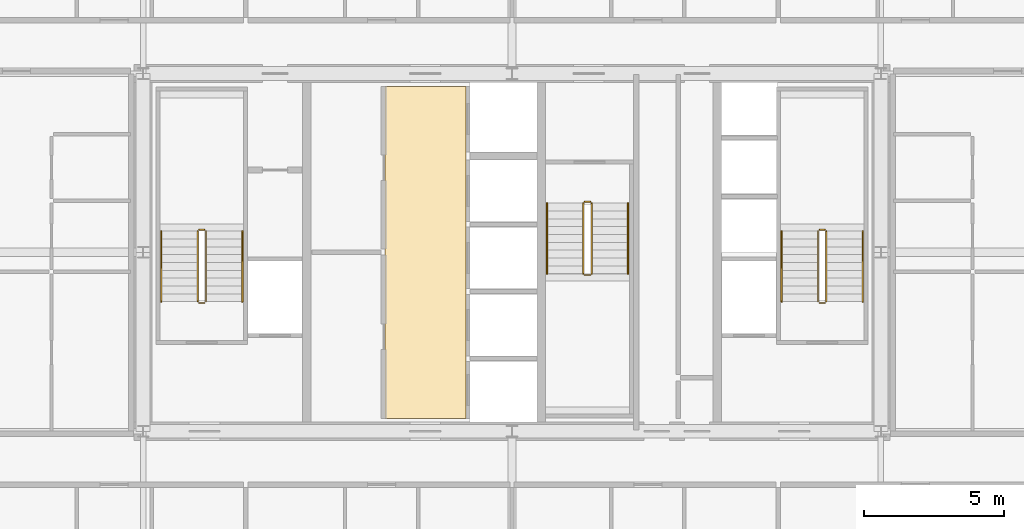
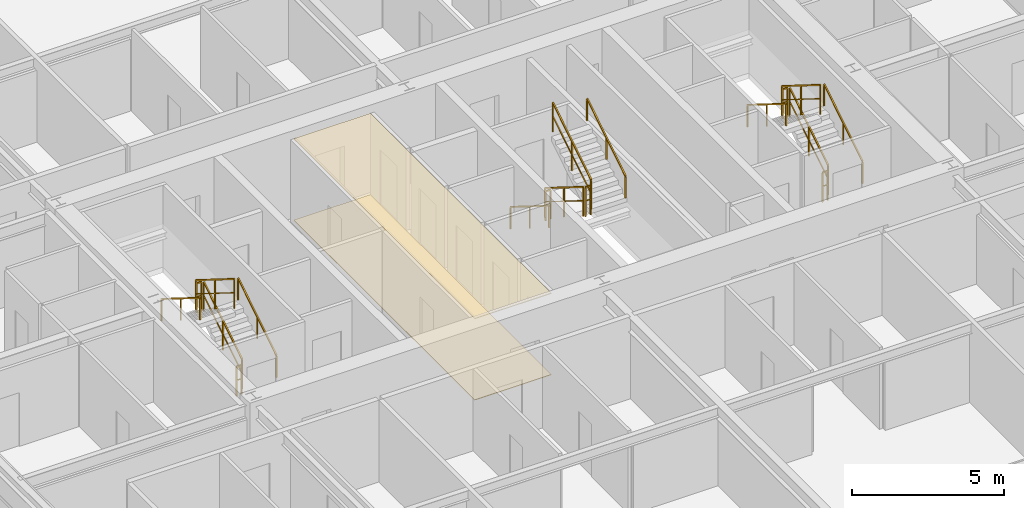
# One storey, part 38 of 38: 18 railings, 2 coverings.
"""IFC4 building model written with IfcOpenShell, lengths in metres."""

from ifc_helpers import new_model, si_unit, direction, frame, origin, origin_2d, place, context, subcontext, project, spatial, polyline, rectangle, outline, extrude, source, transform, mapped, material, layer, layer_set, type_object, element, save


model = new_model("IFC4")

# Units and contexts
model_context = context("Model", 3, precision=1e-05, world=origin(), true_north=direction((0.0, 1.0)))
body_context = subcontext(model_context, "Body", "Model", "MODEL_VIEW")
ifc_project = project(units=[si_unit("LENGTHUNIT", "METRE"), si_unit("AREAUNIT", "SQUARE_METRE"), si_unit("VOLUMEUNIT", "CUBIC_METRE"), si_unit("PLANEANGLEUNIT", "RADIAN"), si_unit("MASSUNIT", "GRAM", prefix="KILO"), si_unit("THERMODYNAMICTEMPERATUREUNIT", "KELVIN"), si_unit("POWERUNIT", "WATT")], contexts=[model_context])

# Site, building, storey
site_placement = place(None, origin())
site = spatial("IfcSite", under=ifc_project, at=site_placement, CompositionType="ELEMENT")
building_placement = place(site_placement, origin())
building = spatial("IfcBuilding", under=site, at=building_placement, Name="Yuzanri Waterfront Tower", CompositionType="ELEMENT")
storey_placement = place(building_placement, frame((0.0, 0.0, 181.0)))
storey = spatial("IfcBuildingStorey", under=building, at=storey_placement, Name="L47", CompositionType="ELEMENT", Elevation=181.0)

# Coverings
ifc_material_1 = material(Name="Engineered Smoked-Oak Timber", Category="wood")
ifc_layer_1 = layer(ifc_material_1, 0.02197265625)
ifc_layer_set_1 = layer_set([ifc_layer_1], Name="Engineered Smoked-Oak Timber")
covering_type_1 = type_object("IfcCoveringType", Name="Engineered Smoked-Oak Residence Flooring 22", PredefinedType="FLOORING", material=ifc_layer_set_1)
covering_1_placement = place(storey_placement, origin())
element("IfcCovering", 1, at=covering_1_placement, inside=storey, type_object=covering_type_1, Name="L47 Smoked-Oak Floor Finish", PredefinedType="FLOORING", context=body_context, shape_type="SweptSolid", body=[
    extrude(outline(polyline([(32.449951171875, 19.860107421875), (35.35009765625, 19.860107421875), (35.35009765625, 31.739990234375), (32.449951171875, 31.739990234375), (32.449951171875, 19.860107421875)])), origin(), (0.0, 0.0, 1.0), 0.02197265625),
])
ifc_material_2 = material(Name="Acoustic Mineral-Fibre Ceiling Board", Category="gypsum")
ifc_layer_2 = layer(ifc_material_2, 0.02490234375)
ifc_layer_set_2 = layer_set([ifc_layer_2], Name="Acoustic Mineral-Fibre Ceiling Board")
covering_type_2 = type_object("IfcCoveringType", Name="Perforated Mineral-Fibre Acoustic Ceiling Tile 25", PredefinedType="CEILING", material=ifc_layer_set_2)
covering_2_placement = place(storey_placement, frame((0.0, 0.0, 3.2548828125)))
element("IfcCovering", 2, at=covering_2_placement, inside=storey, type_object=covering_type_2, Name="L47 Acoustic Mineral-Fibre Ceiling", PredefinedType="CEILING", context=body_context, shape_type="SweptSolid", body=[
    extrude(outline(polyline([(32.449951171875, 19.860107421875), (35.35009765625, 19.860107421875), (35.35009765625, 31.739990234375), (32.449951171875, 31.739990234375), (32.449951171875, 19.860107421875)])), origin(), (0.0, 0.0, 1.0), 0.025146484375),
])

# Railings
ifc_material_3 = material(Name="Painted Galvanized Fire Steel", Category="steel")
ifc_layer_3 = layer(ifc_material_3, 0.06005859375)
ifc_layer_set_3 = layer_set([ifc_layer_3], Name="Painted Galvanized Fire Steel")
railing_type_1 = type_object("IfcRailingType", Name="Painted Steel Stairwell Guardrail 1120", PredefinedType="GUARDRAIL", material=ifc_layer_set_3)
shared_shape_1 = source(origin(), body_context, "Body", "SweptSolid", [
    extrude(rectangle(XDim=0.050048828125, YDim=0.050048828125, at=origin_2d()), frame((0.0, 0.0, 1.1748046875), z_axis=(-1.0, 0.0, 0.0), x_axis=(0.0, -1.0, 0.0)), (0.0, 0.0, 1.0), 0.199951171875),
    extrude(rectangle(XDim=0.035888671875, YDim=0.030029296875, at=origin_2d()), frame((0.0, 0.0, 0.6240234375), z_axis=(-1.0, 0.0, 0.0), x_axis=(0.0, -1.0, 0.0)), (0.0, 0.0, 1.0), 0.199951171875),
    extrude(rectangle(XDim=0.0458984375, YDim=0.0458984375, at=origin_2d()), origin(), (0.0, 0.0, 1.0), 1.14990234375),
    extrude(rectangle(XDim=0.0458984375, YDim=0.0458984375, at=origin_2d()), frame((-0.199951171875, 0.0, 0.0)), (0.0, 0.0, 1.0), 1.14990234375),
])
for number, where, name in (
    (3, (26.0, 26.610107421875, 1.75), "L47 ST-01 stair guard 2"),
    (4, (26.0, 23.989990234375, 0.0), "L47 ST-01 stair guard 4"),
    (5, (48.199951171875, 26.610107421875, 1.75), "L47 ST-02 stair guard 2"),
    (6, (48.199951171875, 23.989990234375, 0.0), "L47 ST-02 stair guard 4"),
):
    element("IfcRailing", number, at=place(storey_placement, frame(where)), inside=storey, type_object=railing_type_1, Name=name, PredefinedType="GUARDRAIL", context=body_context, shape_type="MappedRepresentation", body=[
        mapped(shared_shape_1, transform((0.0, 0.0, 0.0), scale=1.0)),
    ])
shared_shape_2 = source(origin(), body_context, "Body", "SweptSolid", [
    extrude(rectangle(XDim=0.050048828125, YDim=0.050048828125, at=origin_2d()), frame((0.0, 0.0, 1.1748046875), z_axis=(0.0, 0.848007534815, 0.529984170421), x_axis=(-1.0, 0.0, 0.0)), (0.0, 0.0, 1.0), 2.9716796875),
    extrude(rectangle(XDim=0.035888671875, YDim=0.030029296875, at=origin_2d()), frame((0.0, 0.0, 0.6240234375), z_axis=(0.0, 0.848007534815, 0.529984170421), x_axis=(-1.0, 0.0, 0.0)), (0.0, 0.0, 1.0), 2.9716796875),
    extrude(rectangle(XDim=0.0458984375, YDim=0.0458984375, at=origin_2d()), origin(), (0.0, 0.0, 1.0), 1.14990234375),
    extrude(rectangle(XDim=0.0458984375, YDim=0.0458984375, at=origin_2d()), frame((0.0, 1.260009765625, 0.78759765625)), (0.0, 0.0, 1.0), 1.14990234375),
    extrude(rectangle(XDim=0.0458984375, YDim=0.0458984375, at=origin_2d()), frame((0.0, 2.52001953125, 1.574951171875)), (0.0, 0.0, 1.0), 1.14990234375),
])
for number, where, name in (
    (7, (26.050048828125, 24.0400390625, 0.175048828125), "L47 ST-01 stair guard 1"),
    (8, (48.25, 24.0400390625, 0.175048828125), "L47 ST-02 stair guard 1"),
    (9, (39.85009765625, 25.0400390625, 1.925048828125), "L47 ST-03 stair guard 3"),
):
    element("IfcRailing", number, at=place(storey_placement, frame(where)), inside=storey, type_object=railing_type_1, Name=name, PredefinedType="GUARDRAIL", context=body_context, shape_type="MappedRepresentation", body=[
        mapped(shared_shape_2, transform((0.0, 0.0, 0.0), scale=1.0)),
    ])
shared_shape_3 = source(origin(), body_context, "Body", "SweptSolid", [
    extrude(rectangle(XDim=0.050048828125, YDim=0.050048828125, at=origin_2d()), frame((0.0, 0.0, 1.1748046875), z_axis=(0.0, -0.848007534815, 0.529984170421), x_axis=(1.0, 0.0, 0.0)), (0.0, 0.0, 1.0), 2.9716796875),
    extrude(rectangle(XDim=0.035888671875, YDim=0.030029296875, at=origin_2d()), frame((0.0, 0.0, 0.6240234375), z_axis=(0.0, -0.848007534815, 0.529984170421), x_axis=(1.0, 0.0, 0.0)), (0.0, 0.0, 1.0), 2.9716796875),
    extrude(rectangle(XDim=0.0458984375, YDim=0.0458984375, at=origin_2d()), origin(), (0.0, 0.0, 1.0), 1.14990234375),
    extrude(rectangle(XDim=0.0458984375, YDim=0.0458984375, at=origin_2d()), frame((0.0, -1.260009765625, 0.78759765625)), (0.0, 0.0, 1.0), 1.14990234375),
    extrude(rectangle(XDim=0.0458984375, YDim=0.0458984375, at=origin_2d()), frame((0.0, -2.52001953125, 1.574951171875)), (0.0, 0.0, 1.0), 1.14990234375),
])
for number, where, name in (
    (10, (25.75, 26.56005859375, 1.925048828125), "L47 ST-01 stair guard 3"),
    (11, (47.949951171875, 26.56005859375, 1.925048828125), "L47 ST-02 stair guard 3"),
    (12, (39.550048828125, 27.56005859375, 0.175048828125), "L47 ST-03 stair guard 1"),
):
    element("IfcRailing", number, at=place(storey_placement, frame(where)), inside=storey, type_object=railing_type_1, Name=name, PredefinedType="GUARDRAIL", context=body_context, shape_type="MappedRepresentation", body=[
        mapped(shared_shape_3, transform((0.0, 0.0, 0.0), scale=1.0)),
    ])
ifc_material_4 = material(Name="Anodized Architectural Bronze", Category="metal")
ifc_layer_4 = layer(ifc_material_4, 0.050048828125)
ifc_layer_set_4 = layer_set([ifc_layer_4], Name="Anodized Architectural Bronze")
railing_type_2 = type_object("IfcRailingType", Name="Brushed Bronze Stair Pitch Handrail 920", PredefinedType="HANDRAIL", material=ifc_layer_set_4)
shared_shape_4 = source(origin(), body_context, "Body", "SweptSolid", [
    extrude(rectangle(XDim=0.050048828125, YDim=0.050048828125, at=origin_2d()), frame((0.0, 0.0, 0.875), z_axis=(0.0, 0.848007534815, 0.529984170421), x_axis=(-1.0, 0.0, 0.0)), (0.0, 0.0, 1.0), 2.9716796875),
    extrude(rectangle(XDim=0.0458984375, YDim=0.0458984375, at=origin_2d()), origin(), (0.0, 0.0, 1.0), 0.849853515625),
    extrude(rectangle(XDim=0.0458984375, YDim=0.0458984375, at=origin_2d()), frame((0.0, 1.260009765625, 0.78759765625)), (0.0, 0.0, 1.0), 0.849853515625),
    extrude(rectangle(XDim=0.0458984375, YDim=0.0458984375, at=origin_2d()), frame((0.0, 2.52001953125, 1.574951171875)), (0.0, 0.0, 1.0), 0.849853515625),
])
for number, where, name in (
    (13, (27.35009765625, 24.0400390625, 0.175048828125), "L47 ST-01 stair handrail 1"),
    (14, (49.550048828125, 24.0400390625, 0.175048828125), "L47 ST-02 stair handrail 1"),
    (15, (41.14990234375, 25.0400390625, 1.925048828125), "L47 ST-03 stair handrail 2"),
):
    element("IfcRailing", number, at=place(storey_placement, frame(where)), inside=storey, type_object=railing_type_2, Name=name, PredefinedType="HANDRAIL", context=body_context, shape_type="MappedRepresentation", body=[
        mapped(shared_shape_4, transform((0.0, 0.0, 0.0), scale=1.0)),
    ])
shared_shape_5 = source(origin(), body_context, "Body", "SweptSolid", [
    extrude(rectangle(XDim=0.050048828125, YDim=0.050048828125, at=origin_2d()), frame((0.0, 0.0, 0.875), z_axis=(0.0, -0.848007534815, 0.529984170421), x_axis=(1.0, 0.0, 0.0)), (0.0, 0.0, 1.0), 2.9716796875),
    extrude(rectangle(XDim=0.0458984375, YDim=0.0458984375, at=origin_2d()), origin(), (0.0, 0.0, 1.0), 0.849853515625),
    extrude(rectangle(XDim=0.0458984375, YDim=0.0458984375, at=origin_2d()), frame((0.0, -1.260009765625, 0.78759765625)), (0.0, 0.0, 1.0), 0.849853515625),
    extrude(rectangle(XDim=0.0458984375, YDim=0.0458984375, at=origin_2d()), frame((0.0, -2.52001953125, 1.574951171875)), (0.0, 0.0, 1.0), 0.849853515625),
])
for number, where, name in (
    (16, (24.449951171875, 26.56005859375, 1.925048828125), "L47 ST-01 stair handrail 2"),
    (17, (46.64990234375, 26.56005859375, 1.925048828125), "L47 ST-02 stair handrail 2"),
    (18, (38.25, 27.56005859375, 0.175048828125), "L47 ST-03 stair handrail 1"),
):
    element("IfcRailing", number, at=place(storey_placement, frame(where)), inside=storey, type_object=railing_type_2, Name=name, PredefinedType="HANDRAIL", context=body_context, shape_type="MappedRepresentation", body=[
        mapped(shared_shape_5, transform((0.0, 0.0, 0.0), scale=1.0)),
    ])
shared_shape_6 = source(origin(), body_context, "Body", "SweptSolid", [
    extrude(rectangle(XDim=0.050048828125, YDim=0.050048828125, at=origin_2d()), frame((0.0, 0.0, 1.1748046875), z_axis=(1.0, 0.0, 0.0), x_axis=(0.0, 1.0, 0.0)), (0.0, 0.0, 1.0), 0.199951171875),
    extrude(rectangle(XDim=0.035888671875, YDim=0.030029296875, at=origin_2d()), frame((0.0, 0.0, 0.6240234375), z_axis=(1.0, 0.0, 0.0), x_axis=(0.0, 1.0, 0.0)), (0.0, 0.0, 1.0), 0.199951171875),
    extrude(rectangle(XDim=0.0458984375, YDim=0.0458984375, at=origin_2d()), origin(), (0.0, 0.0, 1.0), 1.14990234375),
    extrude(rectangle(XDim=0.0458984375, YDim=0.0458984375, at=origin_2d()), frame((0.199951171875, 0.0, 0.0)), (0.0, 0.0, 1.0), 1.14990234375),
])
for number, where, name in (
    (19, (39.60009765625, 24.989990234375, 1.75), "L47 ST-03 stair guard 2"),
    (20, (39.60009765625, 27.610107421875, 0.0), "L47 ST-03 stair guard 4"),
):
    element("IfcRailing", number, at=place(storey_placement, frame(where)), inside=storey, type_object=railing_type_1, Name=name, PredefinedType="GUARDRAIL", context=body_context, shape_type="MappedRepresentation", body=[
        mapped(shared_shape_6, transform((0.0, 0.0, 0.0), scale=1.0)),
    ])

save(model, "model.ifc")
